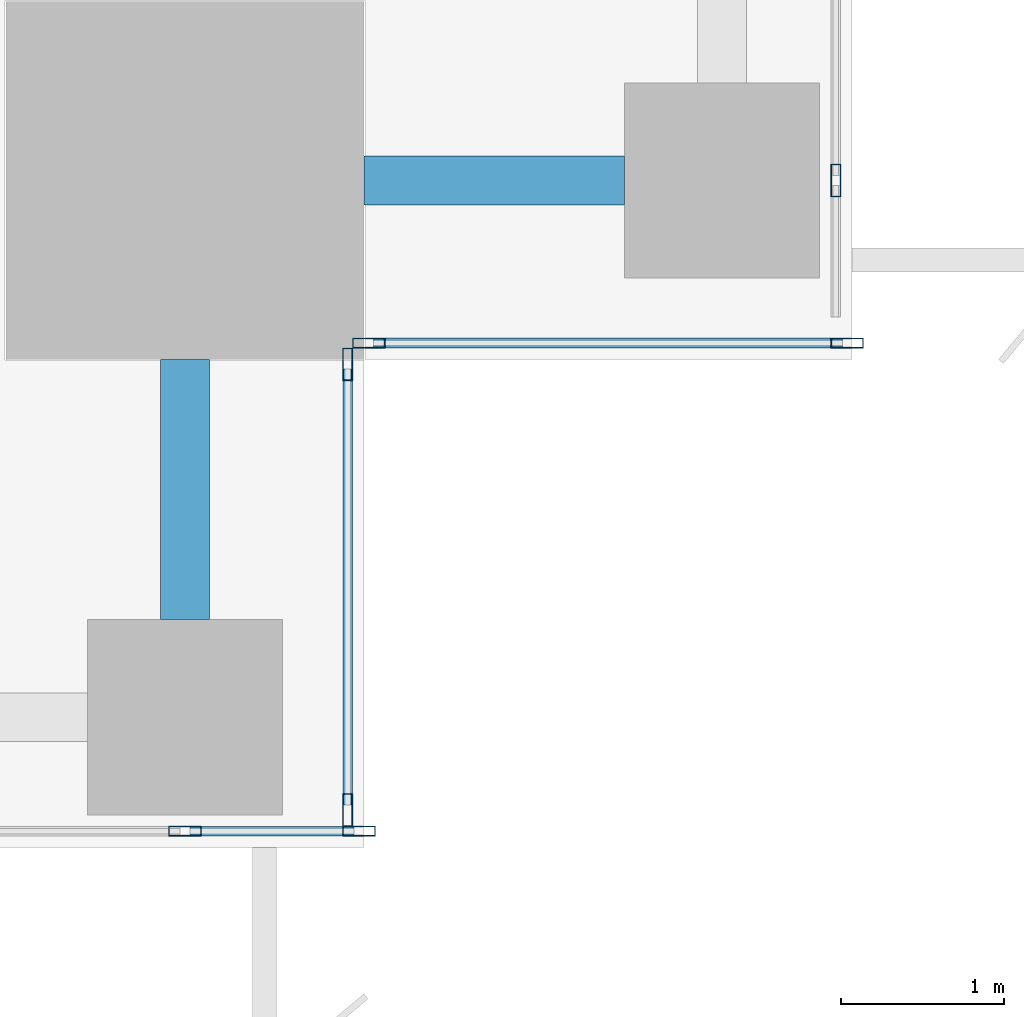
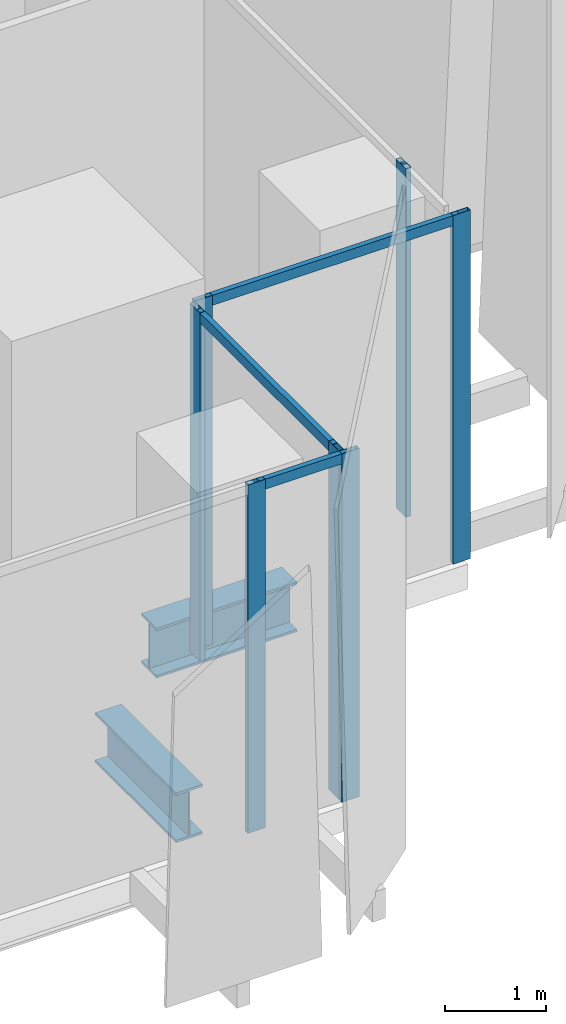
# One storey, part 9 of 37: 10 members, 2 beams, 4 elements without a shape of their own.
"""IFC4 building model written with IfcOpenShell, lengths in metres."""

from ifc_helpers import new_model, si_unit, direction, frame, origin, origin_2d, place, context, subcontext, project, spatial, hollow_rectangle, i_section, extrude, source, transform, mapped, material, material_profile, profile_set, type_object, element, aggregate, save


model = new_model("IFC4")

# Units and contexts
model_context = context("Model", 3, precision=1e-05, world=origin(), true_north=direction((0.0, 1.0)))
body_context = subcontext(model_context, "Body", "Model", "MODEL_VIEW")
ifc_project = project(units=[si_unit("LENGTHUNIT", "METRE"), si_unit("AREAUNIT", "SQUARE_METRE"), si_unit("VOLUMEUNIT", "CUBIC_METRE"), si_unit("PLANEANGLEUNIT", "RADIAN"), si_unit("MASSUNIT", "GRAM", prefix="KILO")], contexts=[model_context])

# Site, building, storey
site_placement = place(None, origin())
site = spatial("IfcSite", under=ifc_project, at=site_placement, CompositionType="ELEMENT")
building_placement = place(site_placement, origin())
building = spatial("IfcBuilding", under=site, at=building_placement, Name="Khomas Fold Tower", CompositionType="ELEMENT")
storey_placement = place(building_placement, frame((0.0, 0.0, 60.0)))
storey = spatial("IfcBuildingStorey", under=building, at=storey_placement, Name="L12", CompositionType="ELEMENT", Elevation=60.0)

# Beams
ifc_material_1 = material(Name="Steel S355", Category="steel")
ifc_material_profile_1 = material_profile(ifc_material_1, i_section(OverallWidth=0.300048828125, OverallDepth=0.60009765625, WebThickness=0.015380859375, FlangeThickness=0.030029296875, at=origin_2d()), Name="HE 600 B")
ifc_profile_set_1 = profile_set([ifc_material_profile_1], Name="Steel S355")
beam_type = type_object("IfcBeamType", Name="HE 600 B spandrel SB1", PredefinedType="SPANDREL", material=ifc_profile_set_1)
shared_shape_1 = source(origin(), body_context, "Body", "SweptSolid", [
    extrude(i_section(OverallWidth=0.300048828125, OverallDepth=0.60009765625, WebThickness=0.015380859375, FlangeThickness=0.030029296875, at=origin_2d()), origin(), (0.0, 0.0, 1.0), 1.60009765625),
])
for number, where, z_axis, x_axis, name in (
    (1, (49.89990234375, 1.39990234375, -0.60009765625), (0.0, 1.0, 0.0), (-1.0, 0.0, 0.0), "SB1"),
    (2, (51.0, 4.10009765625, -0.60009765625), (1.0, 0.0, 0.0), (0.0, 1.0, 0.0), "SB1"),
):
    element("IfcBeam", number, at=place(storey_placement, frame(where, z_axis=z_axis, x_axis=x_axis)), inside=storey, type_object=beam_type, Name=name, PredefinedType="SPANDREL", context=body_context, shape_type="MappedRepresentation", body=[
        mapped(shared_shape_1, transform((0.0, 0.0, 0.0))),
    ])

# Curtain wall, member
ifc_material_2 = material(Name="Aluminium framed double glazing", Category="aluminium")
curtain_wall_type = type_object("IfcCurtainWallType", Name="SK-Unitised clear-glass wall, growing floors CW1", PredefinedType="NOTDEFINED", material=ifc_material_2)
curtain_wall_1_placement = place(storey_placement, origin())
curtain_wall_1 = element("IfcCurtainWall", 3, at=curtain_wall_1_placement, inside=storey, type_object=curtain_wall_type, Name="CW1 run L12 00-0", PredefinedType="NOTDEFINED")
ifc_material_3 = material(Name="Aluminium", Category="aluminium")
ifc_material_profile_2 = material_profile(ifc_material_3, hollow_rectangle(XDim=0.06005859375, YDim=0.1201171875, WallThickness=0.00390625, at=origin_2d()), Name="SK-Unitised clear-glass wall, growing floors transom CW1-T")
ifc_profile_set_2 = profile_set([ifc_material_profile_2], Name="Aluminium")
member_type_1 = type_object("IfcMemberType", Name="SK-Unitised clear-glass wall, growing floors transom CW1-T", PredefinedType="USERDEFINED", material=ifc_profile_set_2)
shared_shape_2 = source(origin(), body_context, "Body", "SweptSolid", [
    extrude(hollow_rectangle(XDim=0.06005859375, YDim=0.1201171875, WallThickness=0.00390625, at=origin_2d()), origin(), (0.0, 0.0, 1.0), 1.010009765625),
])
member_1_placement = place(storey_placement, frame((49.929931640625, 0.10009765625, 4.139892578125), z_axis=(1.0, 0.0, 0.0), x_axis=(0.0, 1.0, 0.0)))
member_1 = element("IfcMember", 4, at=member_1_placement, type_object=member_type_1, Name="CW1 transom 8", ObjectType="TRANSOM", PredefinedType="USERDEFINED", context=body_context, shape_type="MappedRepresentation", body=[
    mapped(shared_shape_2, transform((0.0, 0.0, 0.0))),
])

curtain_wall_2_placement = place(storey_placement, origin())
curtain_wall_2 = element("IfcCurtainWall", 5, at=curtain_wall_2_placement, inside=storey, type_object=curtain_wall_type, Name="CW1 corner return L12 01", PredefinedType="NOTDEFINED")
shared_shape_3 = source(origin(), body_context, "Body", "SweptSolid", [
    extrude(hollow_rectangle(XDim=0.06005859375, YDim=0.1201171875, WallThickness=0.00390625, at=origin_2d()), origin(), (0.0, 0.0, 1.0), 2.679931640625),
])
member_2_placement = place(storey_placement, frame((50.89990234375, 0.260009765625, 4.139892578125), z_axis=(0.0, 1.0, 0.0), x_axis=(-1.0, 0.0, 0.0)))
member_2 = element("IfcMember", 6, at=member_2_placement, type_object=member_type_1, Name="CW1 transom 1", ObjectType="TRANSOM", PredefinedType="USERDEFINED", context=body_context, shape_type="MappedRepresentation", body=[
    mapped(shared_shape_3, transform((0.0, 0.0, 0.0))),
])

curtain_wall_3_placement = place(storey_placement, origin())
curtain_wall_3 = element("IfcCurtainWall", 7, at=curtain_wall_3_placement, inside=storey, type_object=curtain_wall_type, Name="CW1 corner return L12 02", PredefinedType="NOTDEFINED")
shared_shape_4 = source(origin(), body_context, "Body", "SweptSolid", [
    extrude(hollow_rectangle(XDim=0.06005859375, YDim=0.1201171875, WallThickness=0.00390625, at=origin_2d()), origin(), (0.0, 0.0, 1.0), 2.8798828125),
])
member_3_placement = place(storey_placement, frame((51.06005859375, 3.10009765625, 4.139892578125), z_axis=(1.0, 0.0, 0.0), x_axis=(0.0, 1.0, 0.0)))
member_3 = element("IfcMember", 8, at=member_3_placement, type_object=member_type_1, Name="CW1 transom 1", ObjectType="TRANSOM", PredefinedType="USERDEFINED", context=body_context, shape_type="MappedRepresentation", body=[
    mapped(shared_shape_4, transform((0.0, 0.0, 0.0))),
])

# Member
ifc_material_4 = material(Name="Aluminium", Category="aluminium")
ifc_material_profile_3 = material_profile(ifc_material_4, hollow_rectangle(XDim=0.06005859375, YDim=0.199951171875, WallThickness=0.00390625, at=origin_2d()), Name="SK-Unitised clear-glass wall, growing floors mullion CW1-M")
ifc_profile_set_3 = profile_set([ifc_material_profile_3], Name="Aluminium")
member_type_2 = type_object("IfcMemberType", Name="SK-Unitised clear-glass wall, growing floors mullion CW1-M", PredefinedType="MULLION", material=ifc_profile_set_3)
shared_shape_5 = source(origin(), body_context, "Body", "SweptSolid", [
    extrude(hollow_rectangle(XDim=0.06005859375, YDim=0.199951171875, WallThickness=0.00390625, at=origin_2d()), origin(), (0.0, 0.0, 1.0), 4.199951171875),
])
member_4_placement = place(storey_placement, frame((49.89990234375, 0.10009765625, 0.0), z_axis=(0.0, 0.0, 1.0), x_axis=(0.0, 1.0, 0.0)))
member_4 = element("IfcMember", 9, at=member_4_placement, type_object=member_type_2, Name="CW1 mullion 8", PredefinedType="MULLION", context=body_context, shape_type="MappedRepresentation", body=[
    mapped(shared_shape_5, transform((0.0, 0.0, 0.0))),
])

member_5_placement = place(storey_placement, frame((50.969970703125, 0.10009765625, 0.0), z_axis=(0.0, 0.0, 1.0), x_axis=(0.0, 1.0, 0.0)))
member_5 = element("IfcMember", 10, at=member_5_placement, type_object=member_type_2, Name="CW1 mullion 9", PredefinedType="MULLION", context=body_context, shape_type="MappedRepresentation", body=[
    mapped(shared_shape_5, transform((0.0, 0.0, 0.0))),
])

aggregate(curtain_wall_1, [member_4, member_5, member_1])

member_6_placement = place(storey_placement, frame((50.89990234375, 0.22998046875, 0.0), z_axis=(0.0, 0.0, 1.0), x_axis=(-1.0, 0.0, 0.0)))
member_6 = element("IfcMember", 11, at=member_6_placement, type_object=member_type_2, Name="CW1 mullion 1", PredefinedType="MULLION", context=body_context, shape_type="MappedRepresentation", body=[
    mapped(shared_shape_5, transform((0.0, 0.0, 0.0))),
])

member_7_placement = place(storey_placement, frame((50.89990234375, 2.969970703125, 0.0), z_axis=(0.0, 0.0, 1.0), x_axis=(-1.0, 0.0, 0.0)))
member_7 = element("IfcMember", 12, at=member_7_placement, type_object=member_type_2, Name="CW1 mullion 2", PredefinedType="MULLION", context=body_context, shape_type="MappedRepresentation", body=[
    mapped(shared_shape_5, transform((0.0, 0.0, 0.0))),
])

aggregate(curtain_wall_2, [member_6, member_7, member_2])

member_8_placement = place(storey_placement, frame((51.030029296875, 3.10009765625, 0.0), z_axis=(0.0, 0.0, 1.0), x_axis=(0.0, 1.0, 0.0)))
member_8 = element("IfcMember", 13, at=member_8_placement, type_object=member_type_2, Name="CW1 mullion 1", PredefinedType="MULLION", context=body_context, shape_type="MappedRepresentation", body=[
    mapped(shared_shape_5, transform((0.0, 0.0, 0.0))),
])

member_9_placement = place(storey_placement, frame((53.969970703125, 3.10009765625, 0.0), z_axis=(0.0, 0.0, 1.0), x_axis=(0.0, 1.0, 0.0)))
member_9 = element("IfcMember", 14, at=member_9_placement, type_object=member_type_2, Name="CW1 mullion 2", PredefinedType="MULLION", context=body_context, shape_type="MappedRepresentation", body=[
    mapped(shared_shape_5, transform((0.0, 0.0, 0.0))),
])

aggregate(curtain_wall_3, [member_8, member_9, member_3])

# Curtain wall, member
curtain_wall_4_placement = place(storey_placement, origin())
curtain_wall_4 = element("IfcCurtainWall", 15, at=curtain_wall_4_placement, inside=storey, type_object=curtain_wall_type, Name="CW1 run L12 03-0", PredefinedType="NOTDEFINED")
member_10_placement = place(storey_placement, frame((53.89990234375, 4.10009765625, 0.0), z_axis=(0.0, 0.0, 1.0), x_axis=(-1.0, 0.0, 0.0)))
member_10 = element("IfcMember", 16, at=member_10_placement, type_object=member_type_2, Name="CW1 mullion 2", PredefinedType="MULLION", context=body_context, shape_type="MappedRepresentation", body=[
    mapped(shared_shape_5, transform((0.0, 0.0, 0.0))),
])
aggregate(curtain_wall_4, [member_10])

save(model, "model.ifc")
